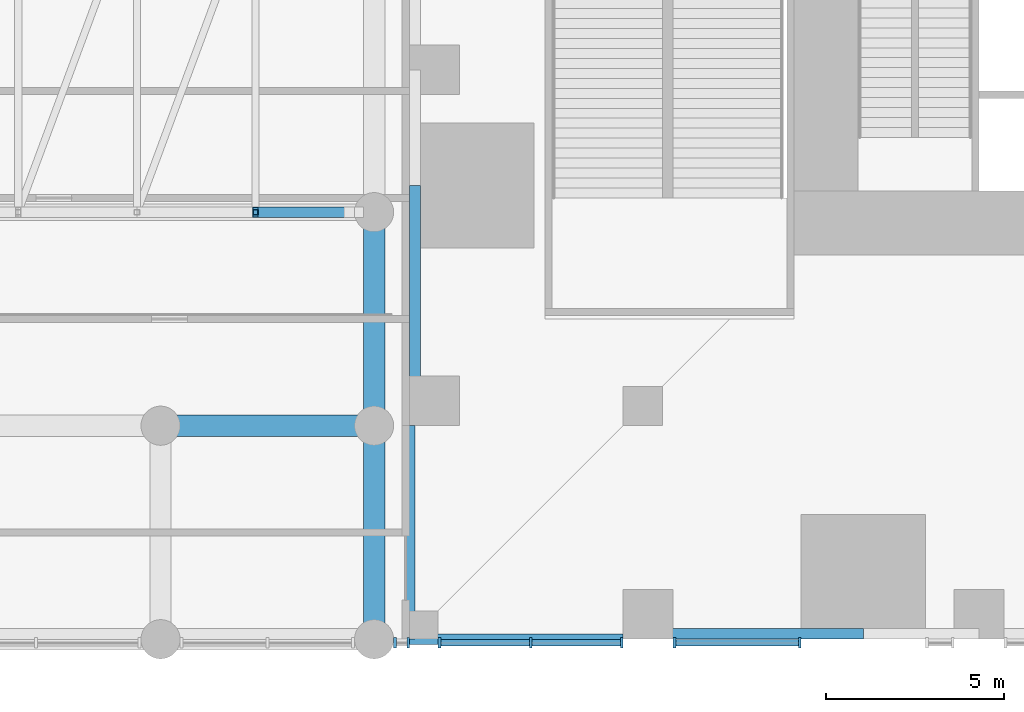
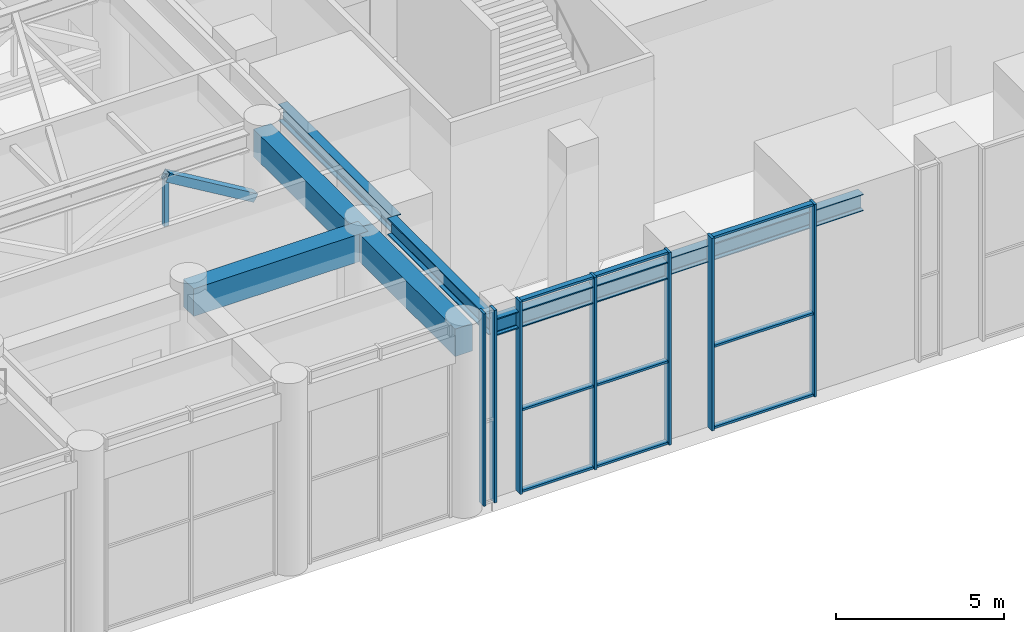
# One storey, part 4 of 30: 18 members, 7 beams, 3 elements without a shape of their own.
"""IFC4 building model written with IfcOpenShell, lengths in metres."""

import ifcopenshell
import ifcopenshell.guid

model = None  # the IFC model being written
_history = None  # IfcOwnerHistory: only IFC2X3 demands one
_inside = {}  # id of a spatial element -> (the spatial element, [elements in it])
_under = {}  # id of a project, library or spatial element -> (it, [spatial elements below it])
_declared = {}  # id of a project -> (the project, [libraries it declares])
_typed = {}  # id of a type object -> (the type object, [elements of that type])
_made_of = {}  # id of a material, layer set ... -> (it, [elements and type objects made of it])


def new_model(schema):
    """Start an empty IFC model of exactly this schema.

    Asked for "IFC4X3", IfcOpenShell would pick the latest addendum, in which some entities
    have other attributes; the version numbers below select the first issue.
    IFC2X3 requires an IfcOwnerHistory on every rooted entity: one is made here for all.
    """
    global model, _history
    if schema == "IFC4X3":
        model = ifcopenshell.file(schema_version=(4, 3, 0, 0))
    else:
        model = ifcopenshell.file(schema=schema)
    _inside.clear()
    _under.clear()
    _declared.clear()
    _typed.clear()
    _made_of.clear()
    _history = None
    if model.schema == "IFC2X3":
        org = make("IfcOrganization", Name="unknown")
        user = make(
            "IfcPersonAndOrganization",
            ThePerson=make("IfcPerson", FamilyName="unknown"),
            TheOrganization=org,
        )
        app = make(
            "IfcApplication",
            ApplicationDeveloper=org,
            Version="unknown",
            ApplicationFullName="unknown",
            ApplicationIdentifier="unknown",
        )
        _history = make(
            "IfcOwnerHistory",
            OwningUser=user,
            OwningApplication=app,
            ChangeAction="ADDED",
            CreationDate=0,
        )
    return model


def make(cls, **values):
    """One entity of the class cls with the attributes given. An attribute that is None is left unset."""
    return model.create_entity(
        cls, **{name: value for name, value in values.items() if value is not None}
    )


def rooted(cls, **values):
    """An entity with a GlobalId (a new one), such as an element, a storey or a relation."""
    return make(cls, GlobalId=ifcopenshell.guid.new(), OwnerHistory=_history, **values)


def si_unit(unit_type, name, prefix=None):
    """IfcSIUnit, for example si_unit("LENGTHUNIT", "METRE", prefix="MILLI")."""
    return make("IfcSIUnit", UnitType=unit_type, Prefix=prefix, Name=name)


def assignment(units):
    """IfcUnitAssignment: the units of a project."""
    return None if units is None else make("IfcUnitAssignment", Units=units)


def point(xyz):
    """IfcCartesianPoint."""
    return None if xyz is None else make("IfcCartesianPoint", Coordinates=xyz)


def direction(xyz):
    """IfcDirection."""
    return None if xyz is None else make("IfcDirection", DirectionRatios=xyz)


def frame(location, z_axis=None, x_axis=None):
    """IfcAxis2Placement3D, a coordinate frame: its origin and axes. An axis left out is left unset."""
    return make(
        "IfcAxis2Placement3D",
        Location=point(location),
        Axis=direction(z_axis),
        RefDirection=direction(x_axis),
    )


def frame_2d(location, x_axis=None):
    """IfcAxis2Placement2D, a coordinate frame in the plane: its origin and x axis."""
    return make(
        "IfcAxis2Placement2D", Location=point(location), RefDirection=direction(x_axis)
    )


def origin():
    """The frame at (0, 0, 0) with its axes left unset."""
    return frame((0.0, 0.0, 0.0))


def origin_2d():
    """The frame at (0, 0) in the plane with its x axis left unset."""
    return frame_2d((0.0, 0.0))


def place(relative_to, where):
    """IfcLocalPlacement: puts the frame where relative to a parent placement (None: the world)."""
    return make(
        "IfcLocalPlacement", PlacementRelTo=relative_to, RelativePlacement=where
    )


def context(
    kind, dimensions, precision=None, world=None, true_north=None, identifier=None
):
    """IfcGeometricRepresentationContext, for example the 3D "Model" context."""
    return make(
        "IfcGeometricRepresentationContext",
        ContextIdentifier=identifier,
        ContextType=kind,
        CoordinateSpaceDimension=dimensions,
        Precision=precision,
        WorldCoordinateSystem=world,
        TrueNorth=true_north,
    )


def subcontext(parent, identifier, kind, view, scale=None):
    """IfcGeometricRepresentationSubContext, for example "Body" below "Model"."""
    return make(
        "IfcGeometricRepresentationSubContext",
        ContextIdentifier=identifier,
        ContextType=kind,
        ParentContext=parent,
        TargetScale=scale,
        TargetView=view,
    )


def project(units=None, contexts=None):
    """IfcProject with its units and contexts."""
    return rooted(
        "IfcProject",
        Name="project",
        RepresentationContexts=contexts,
        UnitsInContext=assignment(units),
    )


def spatial(cls, under=None, at=None, **own):
    """A site, building, storey or space (cls), placed at a placement, below another one or the project."""
    s = rooted(cls, ObjectPlacement=at, **own)
    if under is not None:
        _under.setdefault(under.id(), (under, []))[1].append(s)
    return s


def profile(cls, at=None, kind="AREA", **sizes):
    """A parametric profile (cls). Its sizes go by their IFC names, for example OverallWidth=200.0."""
    return make(cls, ProfileType=kind, Position=at, **sizes)


def rectangle(**sizes):
    """IfcRectangleProfileDef."""
    return profile("IfcRectangleProfileDef", **sizes)


def hollow_rectangle(**sizes):
    """IfcRectangleHollowProfileDef."""
    return profile("IfcRectangleHollowProfileDef", **sizes)


def i_section(**sizes):
    """IfcIShapeProfileDef."""
    return profile("IfcIShapeProfileDef", **sizes)


def extrude(swept, where, along, depth):
    """IfcExtrudedAreaSolid: the profile swept, set in the frame where, extruded along a direction by depth."""
    return make(
        "IfcExtrudedAreaSolid",
        SweptArea=swept,
        Position=where,
        ExtrudedDirection=direction(along),
        Depth=depth,
    )


def shape(context_of_items, identifier, shape_type, items):
    """IfcShapeRepresentation: the items that make up one representation, for example the "Body"."""
    return make(
        "IfcShapeRepresentation",
        ContextOfItems=context_of_items,
        RepresentationIdentifier=identifier,
        RepresentationType=shape_type,
        Items=items,
    )


def material(Name=None, Category=None):
    """IfcMaterial."""
    return make("IfcMaterial", Name=Name, Category=Category)


def material_profile(
    of_material, cross_section, Name=None, Category=None, Priority=None
):
    """IfcMaterialProfile: a cross section and its material."""
    return make(
        "IfcMaterialProfile",
        Name=Name,
        Material=of_material,
        Profile=cross_section,
        Priority=Priority,
        Category=Category,
    )


def profile_set(profiles, Name=None, composite=None):
    """IfcMaterialProfileSet."""
    return make(
        "IfcMaterialProfileSet",
        Name=Name,
        MaterialProfiles=profiles,
        CompositeProfile=composite,
    )


def made_of(thing, what):
    """Note that an element or type object is made of a material, layer set ...; save() writes the relation."""
    if what is not None:
        _made_of.setdefault(what.id(), (what, []))[1].append(thing)
    return thing


def type_object(cls, material=None, **own):
    """A type object (cls), such as IfcWallType, which elements share."""
    return made_of(rooted(cls, **own), material)


def element(
    cls,
    number,
    at=None,
    inside=None,
    cuts=None,
    type_object=None,
    material=None,
    context=None,
    identifier="Body",
    shape_type=None,
    held_by="IfcProductDefinitionShape",
    body=None,
    shapes=None,
    **own,
):
    """One element of the class cls, such as IfcWall. Its Tag is "e" and its number.

    at: its placement. inside: the storey or other place that contains it. cuts: it is an
    opening in that element (IfcRelVoidsElement). A single representation is given by context,
    identifier, shape_type and body (its items); several are given by shapes. held_by: the class
    of the entity that holds the representations. save() writes the other relations.
    """
    e = rooted(cls, Tag="e%d" % number, ObjectPlacement=at, **own)
    if body is not None:
        shapes = [shape(context, identifier, shape_type, body)]
    if shapes is not None:
        e.Representation = make(held_by, Representations=shapes)
    if inside is not None:
        _inside.setdefault(inside.id(), (inside, []))[1].append(e)
    if cuts is not None:
        rooted(
            "IfcRelVoidsElement", RelatingBuildingElement=cuts, RelatedOpeningElement=e
        )
    if type_object is not None:
        _typed.setdefault(type_object.id(), (type_object, []))[1].append(e)
    return made_of(e, material)


def aggregate(whole, parts):
    """IfcRelAggregates: a whole, such as a stair, and the parts it consists of."""
    return rooted("IfcRelAggregates", RelatingObject=whole, RelatedObjects=parts)


def save(model, path):
    """Write the relations noted so far, then the file.

    IfcRelAggregates (storeys below a building ...), IfcRelContainedInSpatialStructure (elements
    in a storey), IfcRelDefinesByType, IfcRelAssociatesMaterial and IfcRelDeclares: one each for
    every whole, place, type object, material and project.
    """
    for whole, parts in _under.values():
        aggregate(whole, parts)
    for where, things in _inside.values():
        rooted(
            "IfcRelContainedInSpatialStructure",
            RelatedElements=things,
            RelatingStructure=where,
        )
    for kind, things in _typed.values():
        rooted("IfcRelDefinesByType", RelatedObjects=things, RelatingType=kind)
    for what, things in _made_of.values():
        rooted("IfcRelAssociatesMaterial", RelatedObjects=things, RelatingMaterial=what)
    for by, libraries in _declared.values():
        rooted("IfcRelDeclares", RelatingContext=by, RelatedDefinitions=libraries)
    model.write(path)


model = new_model("IFC4")

# Units and contexts
model_context = context("Model", 3, precision=1e-05, world=origin(), true_north=direction((0.0, 1.0)))
body_context = subcontext(model_context, "Body", "Model", "MODEL_VIEW")
ifc_project = project(units=[si_unit("LENGTHUNIT", "METRE"), si_unit("AREAUNIT", "SQUARE_METRE"), si_unit("VOLUMEUNIT", "CUBIC_METRE"), si_unit("PLANEANGLEUNIT", "RADIAN"), si_unit("MASSUNIT", "GRAM", prefix="KILO")], contexts=[model_context])

# Site, building, storey
site_placement = place(None, origin())
site = spatial("IfcSite", under=ifc_project, at=site_placement, CompositionType="ELEMENT")
building_placement = place(site_placement, origin())
building = spatial("IfcBuilding", under=site, at=building_placement, Name="Svetlomir Tower", CompositionType="ELEMENT")
storey_placement = place(building_placement, frame((0.0, 0.0, 11.0)))
storey = spatial("IfcBuildingStorey", under=building, at=storey_placement, Name="L02", CompositionType="ELEMENT", Elevation=11.0)

# Members
ifc_material_1 = material(Name="Steel S355", Category="steel")
ifc_material_profile_1 = material_profile(ifc_material_1, hollow_rectangle(XDim=0.300048828125, YDim=0.300048828125, WallThickness=0.02001953125, at=origin_2d()), Name="SHS 300x300x20")
ifc_profile_set_1 = profile_set([ifc_material_profile_1], Name="Steel S355")
member_type_1 = type_object("IfcMemberType", Name="AUDITORIUM TRUSS DIAGONAL SHS 300x300x20", PredefinedType="BRACE", material=ifc_profile_set_1)
member_1_placement = place(storey_placement, frame((-4.333251953125, 12.0, 5.97998046875), z_axis=(0.859300122136, 0.0, -0.511471700193), x_axis=(0.0, 1.0, 0.0)))
element("IfcMember", 1, at=member_1_placement, inside=storey, type_object=member_type_1, Name="Auditorium truss 12 diagonal 6", PredefinedType="BRACE", context=body_context, shape_type="SweptSolid", body=[
    extrude(hollow_rectangle(XDim=0.300048828125, YDim=0.300048828125, WallThickness=0.02001953125, at=origin_2d()), origin(), (0.0, 0.0, 1.0), 3.52978515625),
])
ifc_material_2 = material(Name="Steel S355", Category="steel")
ifc_material_profile_2 = material_profile(ifc_material_2, hollow_rectangle(XDim=0.14990234375, YDim=0.14990234375, WallThickness=0.008056640625, at=origin_2d()), Name="SHS 150x150x8")
ifc_profile_set_2 = profile_set([ifc_material_profile_2], Name="Steel S355")
member_type_2 = type_object("IfcMemberType", Name="AUDITORIUM TRUSS POST SHS 150x150x8", PredefinedType="POST", material=ifc_profile_set_2)
member_2_placement = place(storey_placement, frame((-4.333251953125, 12.0, 4.174560546875), z_axis=(0.0, 0.0, 1.0), x_axis=(1.0, 0.0, 0.0)))
element("IfcMember", 2, at=member_2_placement, inside=storey, type_object=member_type_2, Name="Auditorium truss 12 post 5", PredefinedType="POST", context=body_context, shape_type="SweptSolid", body=[
    extrude(hollow_rectangle(XDim=0.14990234375, YDim=0.14990234375, WallThickness=0.008056640625, at=origin_2d()), origin(), (0.0, 0.0, 1.0), 1.805419921875),
])

# Curtain wall, members
ifc_material_3 = material(Name="Bronze anodised aluminium curtain wall", Category="aluminium")
curtain_wall_type = type_object("IfcCurtainWallType", Name="CURTAIN WALL CW5 PODIUM", PredefinedType="NOTDEFINED", material=ifc_material_3)
curtain_wall_1_placement = place(storey_placement, origin())
curtain_wall_1 = element("IfcCurtainWall", 3, at=curtain_wall_1_placement, inside=storey, type_object=curtain_wall_type, Name="Curtain wall CW5 L02", PredefinedType="NOTDEFINED")
ifc_material_4 = material(Name="Bronze anodised aluminium", Category="aluminium")
ifc_material_profile_3 = material_profile(ifc_material_4, rectangle(XDim=0.080078125, YDim=0.300048828125, at=origin_2d()), Name="AL 80x300")
ifc_profile_set_3 = profile_set([ifc_material_profile_3], Name="Bronze anodised aluminium 6063-T6")
member_type_3 = type_object("IfcMemberType", Name="CW5 MULLION 80x300", PredefinedType="MULLION", material=ifc_profile_set_3)
member_3_placement = place(storey_placement, frame((-0.409912109375, -0.10009765625, 0.0), z_axis=(0.0, 0.0, 1.0), x_axis=(1.0, 0.0, 0.0)))
member_3 = element("IfcMember", 4, at=member_3_placement, type_object=member_type_3, Name="CW5 mullion 1", PredefinedType="MULLION", context=body_context, shape_type="SweptSolid", body=[
    extrude(rectangle(XDim=0.080078125, YDim=0.300048828125, at=origin_2d()), origin(), (0.0, 0.0, 1.0), 7.0),
])
member_4_placement = place(storey_placement, frame((-0.0400390625, -0.10009765625, 0.0), z_axis=(0.0, 0.0, 1.0), x_axis=(1.0, 0.0, 0.0)))
member_4 = element("IfcMember", 5, at=member_4_placement, type_object=member_type_3, Name="CW5 mullion 2", PredefinedType="MULLION", context=body_context, shape_type="SweptSolid", body=[
    extrude(rectangle(XDim=0.080078125, YDim=0.300048828125, at=origin_2d()), origin(), (0.0, 0.0, 1.0), 7.0),
])
aggregate(curtain_wall_1, [member_3, member_4])

curtain_wall_2_placement = place(storey_placement, origin())
curtain_wall_2 = element("IfcCurtainWall", 6, at=curtain_wall_2_placement, inside=storey, type_object=curtain_wall_type, Name="Curtain wall CW5 L02", PredefinedType="NOTDEFINED")
member_5_placement = place(storey_placement, frame((0.840087890625, -0.10009765625, 0.0), z_axis=(0.0, 0.0, 1.0), x_axis=(1.0, 0.0, 0.0)))
member_5 = element("IfcMember", 7, at=member_5_placement, type_object=member_type_3, Name="CW5 mullion 1", PredefinedType="MULLION", context=body_context, shape_type="SweptSolid", body=[
    extrude(rectangle(XDim=0.080078125, YDim=0.300048828125, at=origin_2d()), origin(), (0.0, 0.0, 1.0), 7.0),
])
member_6_placement = place(storey_placement, frame((3.39990234375, -0.10009765625, 0.0), z_axis=(0.0, 0.0, 1.0), x_axis=(1.0, 0.0, 0.0)))
member_6 = element("IfcMember", 8, at=member_6_placement, type_object=member_type_3, Name="CW5 mullion 2", PredefinedType="MULLION", context=body_context, shape_type="SweptSolid", body=[
    extrude(rectangle(XDim=0.080078125, YDim=0.300048828125, at=origin_2d()), origin(), (0.0, 0.0, 1.0), 7.0),
])
member_7_placement = place(storey_placement, frame((5.9599609375, -0.10009765625, 0.0), z_axis=(0.0, 0.0, 1.0), x_axis=(1.0, 0.0, 0.0)))
member_7 = element("IfcMember", 9, at=member_7_placement, type_object=member_type_3, Name="CW5 mullion 3", PredefinedType="MULLION", context=body_context, shape_type="SweptSolid", body=[
    extrude(rectangle(XDim=0.080078125, YDim=0.300048828125, at=origin_2d()), origin(), (0.0, 0.0, 1.0), 7.0),
])

curtain_wall_3_placement = place(storey_placement, origin())
curtain_wall_3 = element("IfcCurtainWall", 10, at=curtain_wall_3_placement, inside=storey, type_object=curtain_wall_type, Name="Curtain wall CW5 L02", PredefinedType="NOTDEFINED")
member_8_placement = place(storey_placement, frame((7.43994140625, -0.10009765625, 0.0), z_axis=(0.0, 0.0, 1.0), x_axis=(1.0, 0.0, 0.0)))
member_8 = element("IfcMember", 11, at=member_8_placement, type_object=member_type_3, Name="CW5 mullion 1", PredefinedType="MULLION", context=body_context, shape_type="SweptSolid", body=[
    extrude(rectangle(XDim=0.080078125, YDim=0.300048828125, at=origin_2d()), origin(), (0.0, 0.0, 1.0), 7.0),
])
member_9_placement = place(storey_placement, frame((10.9599609375, -0.10009765625, 0.0), z_axis=(0.0, 0.0, 1.0), x_axis=(1.0, 0.0, 0.0)))
member_9 = element("IfcMember", 12, at=member_9_placement, type_object=member_type_3, Name="CW5 mullion 2", PredefinedType="MULLION", context=body_context, shape_type="SweptSolid", body=[
    extrude(rectangle(XDim=0.080078125, YDim=0.300048828125, at=origin_2d()), origin(), (0.0, 0.0, 1.0), 7.0),
])

# Member
ifc_material_5 = material(Name="Bronze anodised aluminium", Category="aluminium")
ifc_material_profile_4 = material_profile(ifc_material_5, rectangle(XDim=0.179931640625, YDim=0.080078125, at=origin_2d()), Name="AL 180x80")
ifc_profile_set_4 = profile_set([ifc_material_profile_4], Name="Bronze anodised aluminium 6063-T6")
member_type_4 = type_object("IfcMemberType", Name="CW5 TRANSOM 80x180", PredefinedType="USERDEFINED", material=ifc_profile_set_4)
member_10_placement = place(storey_placement, frame((0.8798828125, -0.10009765625, 0.0400390625), z_axis=(1.0, 0.0, 0.0), x_axis=(0.0, 1.0, 0.0)))
member_10 = element("IfcMember", 13, at=member_10_placement, type_object=member_type_4, Name="CW5 transom 1.1", ObjectType="TRANSOM", PredefinedType="USERDEFINED", context=body_context, shape_type="SweptSolid", body=[
    extrude(rectangle(XDim=0.179931640625, YDim=0.080078125, at=origin_2d()), origin(), (0.0, 0.0, 1.0), 2.480224609375),
])

member_11_placement = place(storey_placement, frame((0.8798828125, -0.10009765625, 3.0), z_axis=(1.0, 0.0, 0.0), x_axis=(0.0, 1.0, 0.0)))
member_11 = element("IfcMember", 14, at=member_11_placement, type_object=member_type_4, Name="CW5 transom 1.2", ObjectType="TRANSOM", PredefinedType="USERDEFINED", context=body_context, shape_type="SweptSolid", body=[
    extrude(rectangle(XDim=0.179931640625, YDim=0.080078125, at=origin_2d()), origin(), (0.0, 0.0, 1.0), 2.480224609375),
])

member_12_placement = place(storey_placement, frame((0.8798828125, -0.10009765625, 6.9599609375), z_axis=(1.0, 0.0, 0.0), x_axis=(0.0, 1.0, 0.0)))
member_12 = element("IfcMember", 15, at=member_12_placement, type_object=member_type_4, Name="CW5 transom 1.3", ObjectType="TRANSOM", PredefinedType="USERDEFINED", context=body_context, shape_type="SweptSolid", body=[
    extrude(rectangle(XDim=0.179931640625, YDim=0.080078125, at=origin_2d()), origin(), (0.0, 0.0, 1.0), 2.480224609375),
])

member_13_placement = place(storey_placement, frame((3.43994140625, -0.10009765625, 0.0400390625), z_axis=(1.0, 0.0, 0.0), x_axis=(0.0, 1.0, 0.0)))
member_13 = element("IfcMember", 16, at=member_13_placement, type_object=member_type_4, Name="CW5 transom 2.1", ObjectType="TRANSOM", PredefinedType="USERDEFINED", context=body_context, shape_type="SweptSolid", body=[
    extrude(rectangle(XDim=0.179931640625, YDim=0.080078125, at=origin_2d()), origin(), (0.0, 0.0, 1.0), 2.47998046875),
])

member_14_placement = place(storey_placement, frame((3.43994140625, -0.10009765625, 3.0), z_axis=(1.0, 0.0, 0.0), x_axis=(0.0, 1.0, 0.0)))
member_14 = element("IfcMember", 17, at=member_14_placement, type_object=member_type_4, Name="CW5 transom 2.2", ObjectType="TRANSOM", PredefinedType="USERDEFINED", context=body_context, shape_type="SweptSolid", body=[
    extrude(rectangle(XDim=0.179931640625, YDim=0.080078125, at=origin_2d()), origin(), (0.0, 0.0, 1.0), 2.47998046875),
])

member_15_placement = place(storey_placement, frame((3.43994140625, -0.10009765625, 6.9599609375), z_axis=(1.0, 0.0, 0.0), x_axis=(0.0, 1.0, 0.0)))
member_15 = element("IfcMember", 18, at=member_15_placement, type_object=member_type_4, Name="CW5 transom 2.3", ObjectType="TRANSOM", PredefinedType="USERDEFINED", context=body_context, shape_type="SweptSolid", body=[
    extrude(rectangle(XDim=0.179931640625, YDim=0.080078125, at=origin_2d()), origin(), (0.0, 0.0, 1.0), 2.47998046875),
])

aggregate(curtain_wall_2, [member_5, member_6, member_7, member_10, member_11, member_12, member_13, member_14, member_15])

member_16_placement = place(storey_placement, frame((7.47998046875, -0.10009765625, 0.0400390625), z_axis=(1.0, 0.0, 0.0), x_axis=(0.0, 1.0, 0.0)))
member_16 = element("IfcMember", 19, at=member_16_placement, type_object=member_type_4, Name="CW5 transom 1.1", ObjectType="TRANSOM", PredefinedType="USERDEFINED", context=body_context, shape_type="SweptSolid", body=[
    extrude(rectangle(XDim=0.179931640625, YDim=0.080078125, at=origin_2d()), origin(), (0.0, 0.0, 1.0), 3.43994140625),
])

member_17_placement = place(storey_placement, frame((7.47998046875, -0.10009765625, 3.0), z_axis=(1.0, 0.0, 0.0), x_axis=(0.0, 1.0, 0.0)))
member_17 = element("IfcMember", 20, at=member_17_placement, type_object=member_type_4, Name="CW5 transom 1.2", ObjectType="TRANSOM", PredefinedType="USERDEFINED", context=body_context, shape_type="SweptSolid", body=[
    extrude(rectangle(XDim=0.179931640625, YDim=0.080078125, at=origin_2d()), origin(), (0.0, 0.0, 1.0), 3.43994140625),
])

member_18_placement = place(storey_placement, frame((7.47998046875, -0.10009765625, 6.9599609375), z_axis=(1.0, 0.0, 0.0), x_axis=(0.0, 1.0, 0.0)))
member_18 = element("IfcMember", 21, at=member_18_placement, type_object=member_type_4, Name="CW5 transom 1.3", ObjectType="TRANSOM", PredefinedType="USERDEFINED", context=body_context, shape_type="SweptSolid", body=[
    extrude(rectangle(XDim=0.179931640625, YDim=0.080078125, at=origin_2d()), origin(), (0.0, 0.0, 1.0), 3.43994140625),
])

aggregate(curtain_wall_3, [member_8, member_9, member_16, member_17, member_18])

# Beams
ifc_material_6 = material(Name="Concrete C60/75", Category="concrete")
ifc_material_profile_5 = material_profile(ifc_material_6, rectangle(XDim=0.60009765625, YDim=1.0, at=origin_2d()), Name="RC 600x1000")
ifc_profile_set_5 = profile_set([ifc_material_profile_5], Name="Concrete C60/75")
beam_type_1 = type_object("IfcBeamType", Name="PODIUM BEAM RC 600x1000", PredefinedType="BEAM", material=ifc_profile_set_5)
for number, where, z_axis, x_axis, name in (
    (22, (-7.0, 6.0, 6.10009765625), (1.0, 0.0, 0.0), (0.0, 1.0, 0.0), "Podium beam -7/6 to -1/6 under L03"),
    (23, (-1.0, 0.0, 6.10009765625), (0.0, 1.0, 0.0), (-1.0, 0.0, 0.0), "Podium beam -1/0 to -1/6 under L03"),
    (24, (-1.0, 6.0, 6.10009765625), (0.0, 1.0, 0.0), (-1.0, 0.0, 0.0), "Podium beam -1/6 to -1/12 under L03"),
):
    element("IfcBeam", number, at=place(storey_placement, frame(where, z_axis=z_axis, x_axis=x_axis)), inside=storey, type_object=beam_type_1, Name=name, PredefinedType="BEAM", context=body_context, shape_type="SweptSolid", body=[
        extrude(rectangle(XDim=0.60009765625, YDim=1.0, at=origin_2d()), origin(), (0.0, 0.0, 1.0), 6.0),
    ])
ifc_material_7 = material(Name="Steel S355", Category="steel")
ifc_material_profile_6 = material_profile(ifc_material_7, i_section(OverallWidth=0.304931640625, OverallDepth=0.6201171875, WebThickness=0.02099609375, FlangeThickness=0.0400390625, FilletRadius=0.027099609375, at=origin_2d()), Name="HEM 600")
ifc_profile_set_6 = profile_set([ifc_material_profile_6], Name="Steel S355")
beam_type_2 = type_object("IfcBeamType", Name="PODIUM EDGE BEAM HEM 600", PredefinedType="BEAM", material=ifc_profile_set_6)
for number, where, z_axis, x_axis, name in (
    (25, (0.0, 0.0, 6.2900390625), (0.0, 1.0, 0.0), (-1.0, 0.0, 0.0), "Podium beam 0/0 to 0/6 under L03"),
    (26, (0.0, 0.0, 6.2900390625), (1.0, 0.0, 0.0), (0.0, 1.0, 0.0), "Podium beam 0/0 to 6/0 under L03"),
):
    element("IfcBeam", number, at=place(storey_placement, frame(where, z_axis=z_axis, x_axis=x_axis)), inside=storey, type_object=beam_type_2, Name=name, PredefinedType="BEAM", context=body_context, shape_type="SweptSolid", body=[
        extrude(i_section(OverallWidth=0.304931640625, OverallDepth=0.6201171875, WebThickness=0.02099609375, FlangeThickness=0.0400390625, FilletRadius=0.027099609375, at=origin_2d()), origin(), (0.0, 0.0, 1.0), 6.0),
    ])
for number, where, z_axis, x_axis, name in (
    (27, (0.152587890625, 6.0, 6.2900390625), (0.0, 1.0, 0.0), (-1.0, 0.0, 0.0), "Podium beam 0/6 to 0/11 under L03"),
    (28, (6.0, 0.152587890625, 6.2900390625), (1.0, 0.0, 0.0), (0.0, 1.0, 0.0), "Podium beam 6/0 to 11/0 under L03"),
):
    element("IfcBeam", number, at=place(storey_placement, frame(where, z_axis=z_axis, x_axis=x_axis)), inside=storey, type_object=beam_type_2, Name=name, PredefinedType="BEAM", context=body_context, shape_type="SweptSolid", body=[
        extrude(i_section(OverallWidth=0.304931640625, OverallDepth=0.6201171875, WebThickness=0.02099609375, FlangeThickness=0.0400390625, FilletRadius=0.027099609375, at=origin_2d()), origin(), (0.0, 0.0, 1.0), 6.75),
    ])

save(model, "model.ifc")
